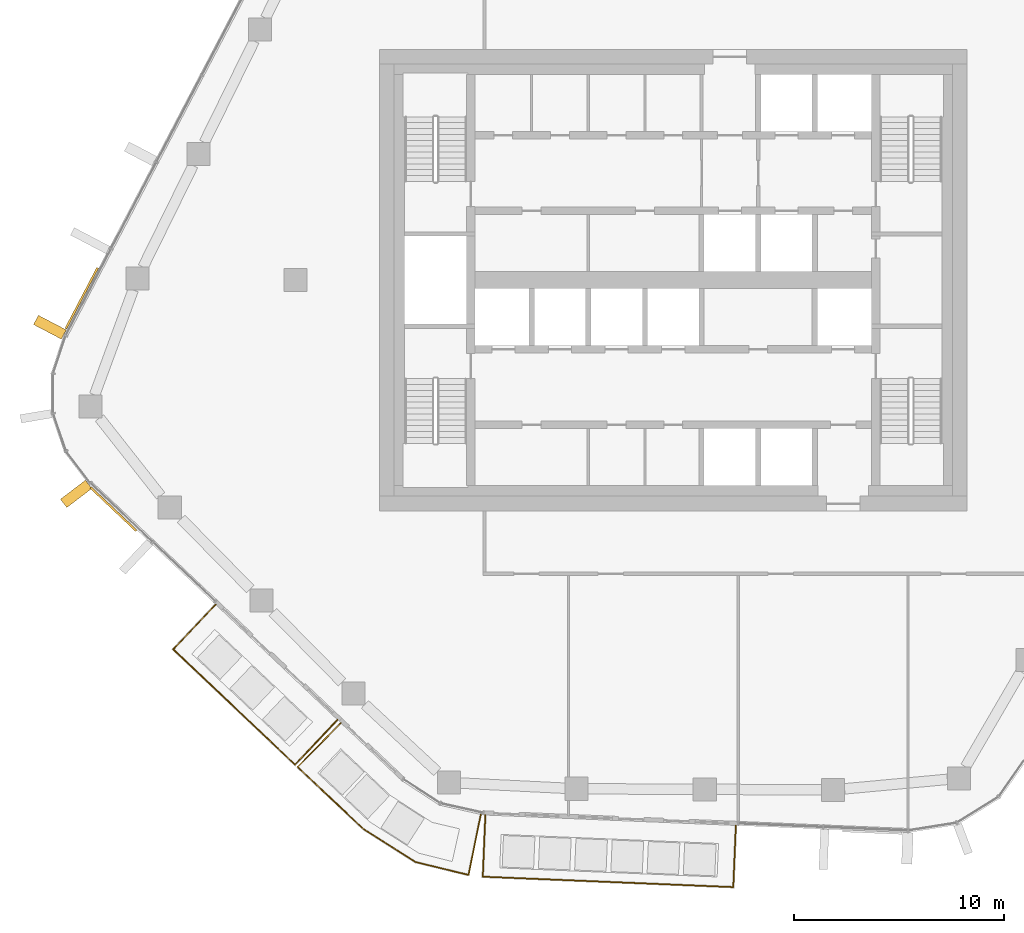
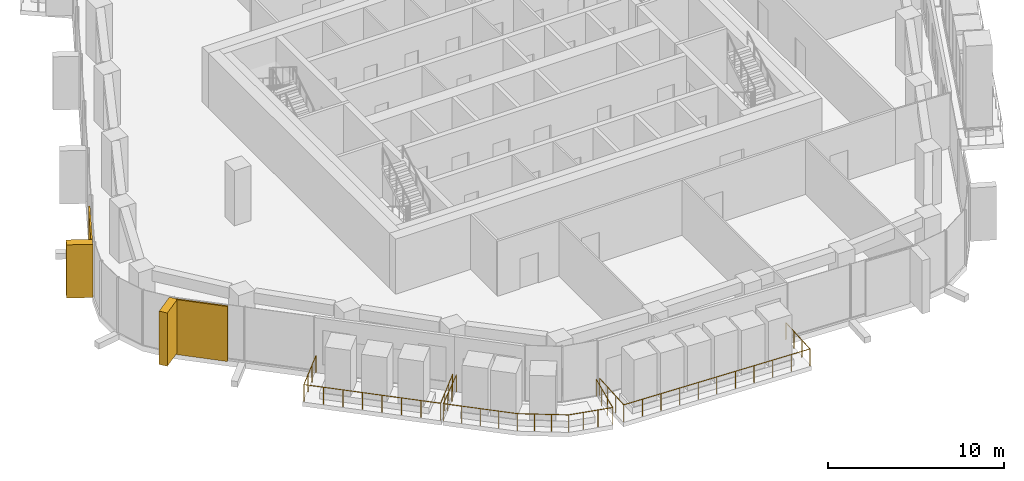
# One storey, part 15 of 20: 4 coverings, 3 railings, 3 elements without a shape of their own.
"""IFC4 building model written with IfcOpenShell, lengths in metres."""

from ifc_helpers import new_model, si_unit, direction, frame, origin, origin_2d, place, context, subcontext, project, spatial, rectangle, circle, extrude, material, layer, layer_set, material_profile, profile_set, type_object, element, aggregate, save


model = new_model("IFC4")

# Units and contexts
model_context = context("Model", 3, precision=1e-05, world=origin(), true_north=direction((0.0, 1.0)))
body_context = subcontext(model_context, "Body", "Model", "MODEL_VIEW")
ifc_project = project(units=[si_unit("LENGTHUNIT", "METRE"), si_unit("AREAUNIT", "SQUARE_METRE"), si_unit("VOLUMEUNIT", "CUBIC_METRE"), si_unit("PLANEANGLEUNIT", "RADIAN"), si_unit("MASSUNIT", "GRAM", prefix="KILO")], contexts=[model_context])

# Site, building, storey
site_placement = place(None, origin())
site = spatial("IfcSite", under=ifc_project, at=site_placement, CompositionType="ELEMENT")
building_placement = place(site_placement, origin())
building = spatial("IfcBuilding", under=site, at=building_placement, Name="Dongbaek Canopy Tower", CompositionType="ELEMENT")
storey_placement = place(building_placement, frame((0.0, 0.0, 249.60009765625)))
storey = spatial("IfcBuildingStorey", under=building, at=storey_placement, Name="L52", CompositionType="ELEMENT", Elevation=249.60009765625)

# Railings
ifc_material_1 = material(Name="Stainless steel", Category="steel")
railing_type = type_object("IfcRailingType", Name="Balcony balustrade 1200", PredefinedType="BALUSTRADE", material=ifc_material_1)
railing_1_placement = place(storey_placement, frame((-21.811767578125, -15.463623046875, 0.0)))
element("IfcRailing", 1, at=railing_1_placement, inside=storey, type_object=railing_type, Name="Balcony guard L52 3", PredefinedType="BALUSTRADE", context=body_context, shape_type="SweptSolid", body=[
    extrude(circle(Radius=0.02392578125, at=origin_2d()), frame((0.0, 0.0, 1.17578125), z_axis=(-0.687323027636, -0.726351881447, 0.0), x_axis=(0.726351881447, -0.687323027636, 0.0)), (0.0, 0.0, 1.0), 2.93994140625),
    extrude(circle(Radius=0.02392578125, at=origin_2d()), frame((-2.020751953125, -2.135498046875, 1.17578125), z_axis=(0.72637941754, -0.687293926769, 0.0), x_axis=(0.687293926769, 0.72637941754, 0.0)), (0.0, 0.0, 1.0), 7.995361328125),
    extrude(circle(Radius=0.02392578125, at=origin_2d()), frame((3.786865234375, -7.630615234375, 1.17578125), z_axis=(0.687323027636, 0.726351881447, 0.0), x_axis=(-0.726351881447, 0.687323027636, 0.0)), (0.0, 0.0, 1.0), 2.93994140625),
    extrude(circle(Radius=0.02099609375, at=origin_2d()), origin(), (0.0, 0.0, 1.0), 1.15185546875),
    extrude(circle(Radius=0.02099609375, at=origin_2d()), frame((-0.673583984375, -0.7119140625, 0.0)), (0.0, 0.0, 1.0), 1.15185546875),
    extrude(circle(Radius=0.02099609375, at=origin_2d()), frame((-1.34716796875, -1.423583984375, 0.0)), (0.0, 0.0, 1.0), 1.15185546875),
    extrude(circle(Radius=0.02099609375, at=origin_2d()), frame((-2.020751953125, -2.135498046875, 0.0)), (0.0, 0.0, 1.0), 1.15185546875),
    extrude(circle(Radius=0.02099609375, at=origin_2d()), frame((-1.191162109375, -2.92041015625, 0.0)), (0.0, 0.0, 1.0), 1.15185546875),
    extrude(circle(Radius=0.02099609375, at=origin_2d()), frame((-0.361328125, -3.70556640625, 0.0)), (0.0, 0.0, 1.0), 1.15185546875),
    extrude(circle(Radius=0.02099609375, at=origin_2d()), frame((0.46826171875, -4.490478515625, 0.0)), (0.0, 0.0, 1.0), 1.15185546875),
    extrude(circle(Radius=0.02099609375, at=origin_2d()), frame((1.2978515625, -5.275634765625, 0.0)), (0.0, 0.0, 1.0), 1.15185546875),
    extrude(circle(Radius=0.02099609375, at=origin_2d()), frame((2.12744140625, -6.060546875, 0.0)), (0.0, 0.0, 1.0), 1.15185546875),
    extrude(circle(Radius=0.02099609375, at=origin_2d()), frame((2.957275390625, -6.845703125, 0.0)), (0.0, 0.0, 1.0), 1.15185546875),
    extrude(circle(Radius=0.02099609375, at=origin_2d()), frame((3.786865234375, -7.630615234375, 0.0)), (0.0, 0.0, 1.0), 1.15185546875),
    extrude(circle(Radius=0.02099609375, at=origin_2d()), frame((4.46044921875, -6.918701171875, 0.0)), (0.0, 0.0, 1.0), 1.15185546875),
    extrude(circle(Radius=0.02099609375, at=origin_2d()), frame((5.134033203125, -6.20703125, 0.0)), (0.0, 0.0, 1.0), 1.15185546875),
    extrude(circle(Radius=0.02099609375, at=origin_2d()), frame((5.8076171875, -5.4951171875, 0.0)), (0.0, 0.0, 1.0), 1.15185546875),
])
railing_2_placement = place(storey_placement, frame((-15.84423828125, -21.110107421875, 0.0)))
element("IfcRailing", 2, at=railing_2_placement, inside=storey, type_object=railing_type, Name="Balcony guard L52 8", PredefinedType="BALUSTRADE", context=body_context, shape_type="SweptSolid", body=[
    extrude(circle(Radius=0.02392578125, at=origin_2d()), frame((0.0, 0.0, 1.17578125), z_axis=(-0.702024373564, -0.712152918215, 0.0), x_axis=(0.712152918215, -0.702024373564, 0.0)), (0.0, 0.0, 1.0), 2.940673828125),
    extrude(circle(Radius=0.02392578125, at=origin_2d()), frame((-2.064453125, -2.09423828125, 1.17578125), z_axis=(0.728253075317, -0.68530829434, 0.0), x_axis=(0.68530829434, 0.728253075317, 0.0)), (0.0, 0.0, 1.0), 4.320556640625),
    extrude(circle(Radius=0.02392578125, at=origin_2d()), frame((1.08203125, -5.05517578125, 1.17578125), z_axis=(0.843678676666, -0.536848480056, 0.0), x_axis=(0.536848480056, 0.843678676666, 0.0)), (0.0, 0.0, 1.0), 2.924072265625),
    extrude(circle(Radius=0.02392578125, at=origin_2d()), frame((3.549072265625, -6.625, 1.17578125), z_axis=(0.971694868855, -0.236239458687, 0.0), x_axis=(0.236239458687, 0.971694868855, 0.0)), (0.0, 0.0, 1.0), 2.611572265625),
    extrude(circle(Radius=0.02392578125, at=origin_2d()), frame((6.086669921875, -7.241943359375, 1.17578125), z_axis=(0.198845630511, 0.980030823611, 0.0), x_axis=(-0.980030823611, 0.198845630511, 0.0)), (0.0, 0.0, 1.0), 2.940673828125),
    extrude(circle(Radius=0.02099609375, at=origin_2d()), origin(), (0.0, 0.0, 1.0), 1.15185546875),
    extrude(circle(Radius=0.02099609375, at=origin_2d()), frame((-0.688232421875, -0.697998046875, 0.0)), (0.0, 0.0, 1.0), 1.15185546875),
    extrude(circle(Radius=0.02099609375, at=origin_2d()), frame((-1.376220703125, -1.396240234375, 0.0)), (0.0, 0.0, 1.0), 1.15185546875),
    extrude(circle(Radius=0.02099609375, at=origin_2d()), frame((-2.064453125, -2.09423828125, 0.0)), (0.0, 0.0, 1.0), 1.15185546875),
    extrude(circle(Radius=0.02099609375, at=origin_2d()), frame((-1.27783203125, -2.83447265625, 0.0)), (0.0, 0.0, 1.0), 1.15185546875),
    extrude(circle(Radius=0.02099609375, at=origin_2d()), frame((-0.4912109375, -3.57470703125, 0.0)), (0.0, 0.0, 1.0), 1.15185546875),
    extrude(circle(Radius=0.02099609375, at=origin_2d()), frame((0.29541015625, -4.31494140625, 0.0)), (0.0, 0.0, 1.0), 1.15185546875),
    extrude(circle(Radius=0.02099609375, at=origin_2d()), frame((1.08203125, -5.05517578125, 0.0)), (0.0, 0.0, 1.0), 1.15185546875),
    extrude(circle(Radius=0.02099609375, at=origin_2d()), frame((1.904296875, -5.578369140625, 0.0)), (0.0, 0.0, 1.0), 1.15185546875),
    extrude(circle(Radius=0.02099609375, at=origin_2d()), frame((2.726806640625, -6.101806640625, 0.0)), (0.0, 0.0, 1.0), 1.15185546875),
    extrude(circle(Radius=0.02099609375, at=origin_2d()), frame((3.549072265625, -6.625, 0.0)), (0.0, 0.0, 1.0), 1.15185546875),
    extrude(circle(Radius=0.02099609375, at=origin_2d()), frame((4.39501953125, -6.83056640625, 0.0)), (0.0, 0.0, 1.0), 1.15185546875),
    extrude(circle(Radius=0.02099609375, at=origin_2d()), frame((5.24072265625, -7.036376953125, 0.0)), (0.0, 0.0, 1.0), 1.15185546875),
    extrude(circle(Radius=0.02099609375, at=origin_2d()), frame((6.086669921875, -7.241943359375, 0.0)), (0.0, 0.0, 1.0), 1.15185546875),
    extrude(circle(Radius=0.02099609375, at=origin_2d()), frame((6.281494140625, -6.28125, 0.0)), (0.0, 0.0, 1.0), 1.15185546875),
    extrude(circle(Radius=0.02099609375, at=origin_2d()), frame((6.4765625, -5.32080078125, 0.0)), (0.0, 0.0, 1.0), 1.15185546875),
    extrude(circle(Radius=0.02099609375, at=origin_2d()), frame((6.67138671875, -4.360107421875, 0.0)), (0.0, 0.0, 1.0), 1.15185546875),
])
railing_3_placement = place(storey_placement, frame((-8.95556640625, -25.498779296875, 0.0)))
element("IfcRailing", 3, at=railing_3_placement, inside=storey, type_object=railing_type, Name="Balcony guard L52 4", PredefinedType="BALUSTRADE", context=body_context, shape_type="SweptSolid", body=[
    extrude(circle(Radius=0.02392578125, at=origin_2d()), frame((0.0, 0.0, 1.17578125), z_axis=(-0.041520016303, -0.999137672319, 0.0), x_axis=(0.999137672319, -0.041520016303, 0.0)), (0.0, 0.0, 1.0), 2.93994140625),
    extrude(circle(Radius=0.02392578125, at=origin_2d()), frame((-0.1220703125, -2.9375, 1.17578125), z_axis=(0.999138729175, -0.041494576291, 0.0), x_axis=(0.041494576291, 0.999138729175, 0.0)), (0.0, 0.0, 1.0), 11.94970703125),
    extrude(circle(Radius=0.02392578125, at=origin_2d()), frame((11.8173828125, -3.433349609375, 1.17578125), z_axis=(0.041520016303, 0.999137672319, 0.0), x_axis=(-0.999137672319, 0.041520016303, 0.0)), (0.0, 0.0, 1.0), 2.93994140625),
    extrude(circle(Radius=0.02099609375, at=origin_2d()), origin(), (0.0, 0.0, 1.0), 1.15185546875),
    extrude(circle(Radius=0.02099609375, at=origin_2d()), frame((-0.040771484375, -0.979248046875, 0.0)), (0.0, 0.0, 1.0), 1.15185546875),
    extrude(circle(Radius=0.02099609375, at=origin_2d()), frame((-0.081298828125, -1.958251953125, 0.0)), (0.0, 0.0, 1.0), 1.15185546875),
    extrude(circle(Radius=0.02099609375, at=origin_2d()), frame((-0.1220703125, -2.9375, 0.0)), (0.0, 0.0, 1.0), 1.15185546875),
    extrude(circle(Radius=0.02099609375, at=origin_2d()), frame((1.07177734375, -2.987060546875, 0.0)), (0.0, 0.0, 1.0), 1.15185546875),
    extrude(circle(Radius=0.02099609375, at=origin_2d()), frame((2.265869140625, -3.03662109375, 0.0)), (0.0, 0.0, 1.0), 1.15185546875),
    extrude(circle(Radius=0.02099609375, at=origin_2d()), frame((3.459716796875, -3.086181640625, 0.0)), (0.0, 0.0, 1.0), 1.15185546875),
    extrude(circle(Radius=0.02099609375, at=origin_2d()), frame((4.65380859375, -3.1357421875, 0.0)), (0.0, 0.0, 1.0), 1.15185546875),
    extrude(circle(Radius=0.02099609375, at=origin_2d()), frame((5.84765625, -3.185546875, 0.0)), (0.0, 0.0, 1.0), 1.15185546875),
    extrude(circle(Radius=0.02099609375, at=origin_2d()), frame((7.04150390625, -3.235107421875, 0.0)), (0.0, 0.0, 1.0), 1.15185546875),
    extrude(circle(Radius=0.02099609375, at=origin_2d()), frame((8.235595703125, -3.28466796875, 0.0)), (0.0, 0.0, 1.0), 1.15185546875),
    extrude(circle(Radius=0.02099609375, at=origin_2d()), frame((9.429443359375, -3.334228515625, 0.0)), (0.0, 0.0, 1.0), 1.15185546875),
    extrude(circle(Radius=0.02099609375, at=origin_2d()), frame((10.62353515625, -3.3837890625, 0.0)), (0.0, 0.0, 1.0), 1.15185546875),
    extrude(circle(Radius=0.02099609375, at=origin_2d()), frame((11.8173828125, -3.433349609375, 0.0)), (0.0, 0.0, 1.0), 1.15185546875),
    extrude(circle(Radius=0.02099609375, at=origin_2d()), frame((11.858154296875, -2.4541015625, 0.0)), (0.0, 0.0, 1.0), 1.15185546875),
    extrude(circle(Radius=0.02099609375, at=origin_2d()), frame((11.898681640625, -1.47509765625, 0.0)), (0.0, 0.0, 1.0), 1.15185546875),
    extrude(circle(Radius=0.02099609375, at=origin_2d()), frame((11.939453125, -0.495849609375, 0.0)), (0.0, 0.0, 1.0), 1.15185546875),
])

# Curtain wall, covering
ifc_material_2 = material(Name="Aluminium 6063-T6 pale anodised", Category="aluminium")
ifc_layer_1 = layer(ifc_material_2, 0.199951171875)
ifc_layer_set_1 = layer_set([ifc_layer_1], Name="CW-1 unitised tower curtain wall")
curtain_wall_type = type_object("IfcCurtainWallType", Name="CW-1 unitised tower curtain wall", PredefinedType="NOTDEFINED", material=ifc_layer_set_1)
curtain_wall_1_placement = place(storey_placement, origin())
curtain_wall_1 = element("IfcCurtainWall", 4, at=curtain_wall_1_placement, inside=storey, type_object=curtain_wall_type, Name="CW-1 curtain wall F2.1", PredefinedType="NOTDEFINED")
ifc_material_3 = material(Name="Perforated aluminium 6063-T6 pale metal screen", Category="aluminium")
ifc_layer_2 = layer(ifc_material_3, 0.10009765625)
ifc_layer_set_2 = layer_set([ifc_layer_2], Name="Facet screen FS1 100 pale metal")
covering_type_1 = type_object("IfcCoveringType", Name="Facet screen FS1 100 pale metal", PredefinedType="CLADDING", material=ifc_layer_set_2)
covering_1_placement = place(storey_placement, frame((-28.194580078125, -0.864990234375, 0.0), z_axis=(0.0, 0.0, 1.0), x_axis=(-0.463648649911, -0.88601914733, 0.0)))
covering_1 = element("IfcCovering", 5, at=covering_1_placement, type_object=covering_type_1, Name="Facet screen L52 F2", PredefinedType="CLADDING", context=body_context, shape_type="SweptSolid", body=[
    extrude(rectangle(XDim=3.27490234375, YDim=0.10009765625, at=origin_2d()), origin(), (0.0, 0.0, 1.0), 3.820068359375),
])

curtain_wall_2_placement = place(storey_placement, origin())
curtain_wall_2 = element("IfcCurtainWall", 6, at=curtain_wall_2_placement, inside=storey, type_object=curtain_wall_type, Name="CW-1 curtain wall F3.1", PredefinedType="NOTDEFINED")
covering_2_placement = place(storey_placement, frame((-26.6806640625, -10.919677734375, 0.0), z_axis=(0.0, 0.0, 1.0), x_axis=(0.726369576453, -0.687304327357, 0.0)))
covering_2 = element("IfcCovering", 7, at=covering_2_placement, type_object=covering_type_1, Name="Facet screen L52 F3", PredefinedType="CLADDING", context=body_context, shape_type="SweptSolid", body=[
    extrude(rectangle(XDim=3.00927734375, YDim=0.10009765625, at=origin_2d()), origin(), (0.0, 0.0, 1.0), 3.820068359375),
])
aggregate(curtain_wall_2, [covering_2])

# Covering
ifc_material_4 = material(Name="Aluminium 6063-T6 pale metal fin", Category="aluminium")
ifc_material_profile = material_profile(ifc_material_4, rectangle(XDim=1.5, YDim=0.5, at=origin_2d()), Name="Fin FN1 500 x 1500 pale metal")
ifc_profile_set = profile_set([ifc_material_profile], Name="Aluminium 6063-T6 pale metal fin")
covering_type_2 = type_object("IfcCoveringType", Name="Fin FN1 500 x 1500 pale metal", PredefinedType="CLADDING", material=ifc_profile_set)
covering_3_placement = place(storey_placement, frame((-29.712158203125, -2.246337890625, 0.119873046875), z_axis=(0.0, 0.0, 1.0), x_axis=(-0.886019109709, 0.463648721803, 0.0)))
covering_3 = element("IfcCovering", 8, at=covering_3_placement, type_object=covering_type_2, Name="Fin F2.1.7", PredefinedType="CLADDING", context=body_context, shape_type="SweptSolid", body=[
    extrude(rectangle(XDim=1.5, YDim=0.5, at=origin_2d()), origin(), (0.0, 0.0, 1.0), 3.699951171875),
])

aggregate(curtain_wall_1, [covering_3, covering_1])

# Curtain wall, covering
curtain_wall_3_placement = place(storey_placement, origin())
curtain_wall_3 = element("IfcCurtainWall", 9, at=curtain_wall_3_placement, inside=storey, type_object=curtain_wall_type, Name="CW-1 curtain wall K3.1", PredefinedType="NOTDEFINED")
covering_4_placement = place(storey_placement, frame((-28.46044921875, -10.189453125, 0.119873046875), z_axis=(0.0, 0.0, 1.0), x_axis=(-0.795397919328, -0.606087576122, 0.0)))
covering_4 = element("IfcCovering", 10, at=covering_4_placement, type_object=covering_type_2, Name="Fin K3.1.5", PredefinedType="CLADDING", context=body_context, shape_type="SweptSolid", body=[
    extrude(rectangle(XDim=1.5, YDim=0.5, at=origin_2d()), origin(), (0.0, 0.0, 1.0), 3.699951171875),
])
aggregate(curtain_wall_3, [covering_4])

save(model, "model.ifc")
